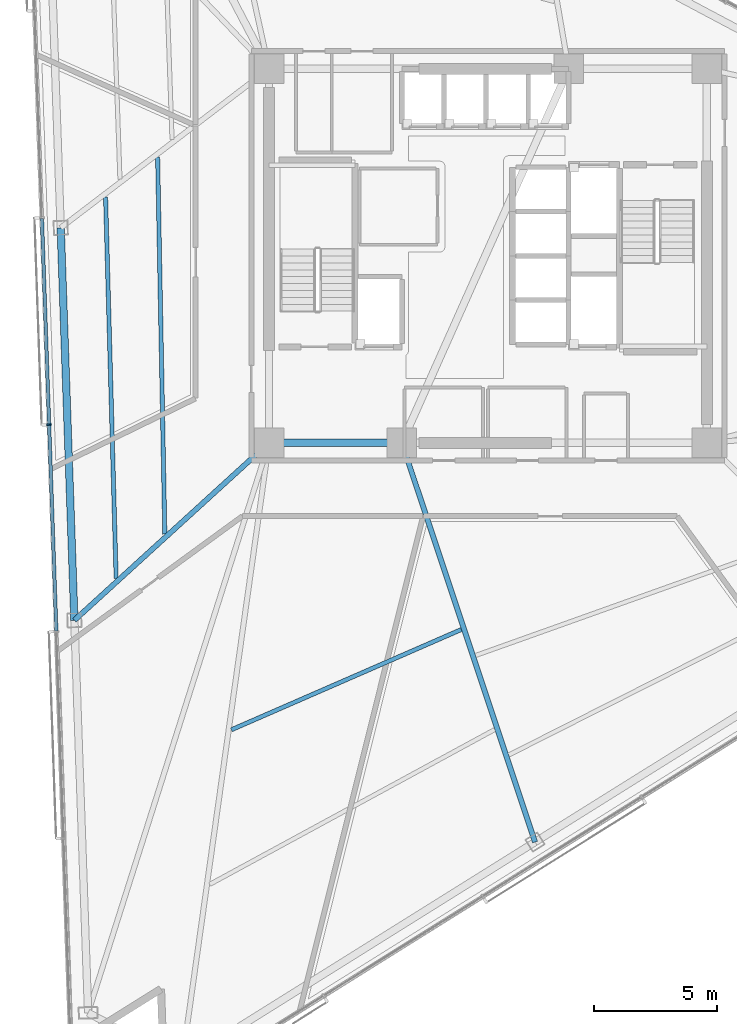
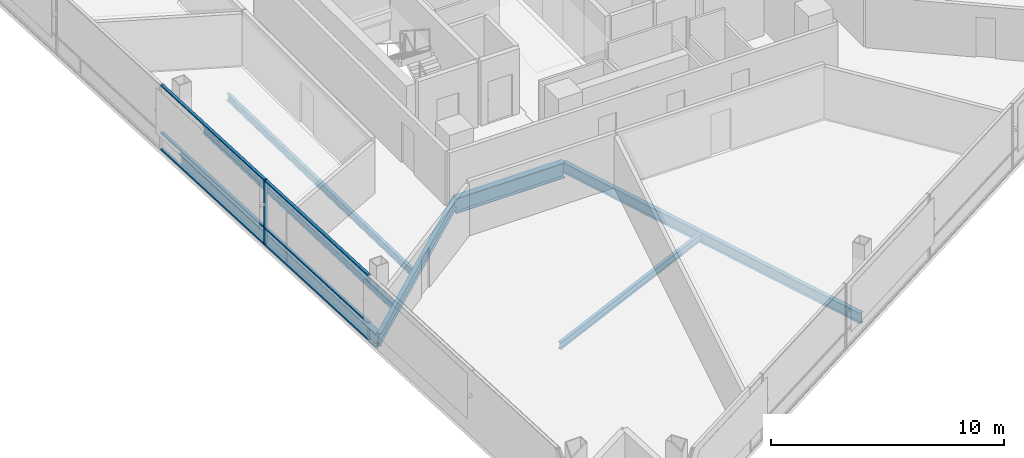
# One storey, part 4 of 21: 7 beams, 7 members, 1 element without a shape of its own.
"""IFC4 building model written with IfcOpenShell, lengths in metres."""

from ifc_helpers import new_model, si_unit, direction, frame, origin, origin_2d, place, context, subcontext, project, spatial, rectangle, i_section, extrude, material, layer, layer_set, material_profile, profile_set, type_object, element, aggregate, save


model = new_model("IFC4")

# Units and contexts
model_context = context("Model", 3, precision=1e-05, world=origin(), true_north=direction((0.0, 1.0)))
body_context = subcontext(model_context, "Body", "Model", "MODEL_VIEW")
ifc_project = project(units=[si_unit("LENGTHUNIT", "METRE"), si_unit("AREAUNIT", "SQUARE_METRE"), si_unit("VOLUMEUNIT", "CUBIC_METRE"), si_unit("PLANEANGLEUNIT", "RADIAN"), si_unit("MASSUNIT", "GRAM", prefix="KILO")], contexts=[model_context])

# Site, building, storey
site_placement = place(None, origin())
site = spatial("IfcSite", under=ifc_project, at=site_placement, CompositionType="ELEMENT")
building_placement = place(site_placement, origin())
building = spatial("IfcBuilding", under=site, at=building_placement, Name="Tharavind Bronze Gate", CompositionType="ELEMENT")
storey_placement = place(building_placement, frame((0.0, 0.0, 142.39990234375)))
storey = spatial("IfcBuildingStorey", under=building, at=storey_placement, Name="L36", CompositionType="ELEMENT", Elevation=142.39990234375)

# Curtain wall, members
ifc_material_1 = material(Name="Anodised Bronze Aluminium", Category="aluminium")
ifc_layer = layer(ifc_material_1, 0.219970703125)
ifc_layer_set = layer_set([ifc_layer], Name="Anodised Bronze Aluminium")
curtain_wall_type = type_object("IfcCurtainWallType", Name="UNITISED CURTAIN WALL MID OFFICE", PredefinedType="USERDEFINED", material=ifc_layer_set)
curtain_wall_placement = place(storey_placement, origin())
curtain_wall = element("IfcCurtainWall", 1, at=curtain_wall_placement, inside=storey, type_object=curtain_wall_type, Name="L36 unitised curtain wall mid office CW-L36-S1", ObjectType="UNITISED CURTAIN WALL", PredefinedType="USERDEFINED")
member_type_1 = type_object("IfcMemberType", Name="CURTAIN WALL BRONZE MULLION 65X180", PredefinedType="MULLION", material=ifc_material_1)
member_1_placement = place(storey_placement, frame((-17.8388671875, -6.86376953125, 0.0), z_axis=(0.0, 0.0, 1.0), x_axis=(0.034899496703, -0.999390827019, 0.0)))
member_1 = element("IfcMember", 2, at=member_1_placement, type_object=member_type_1, Name="CW-L36-S1 mullion 4", PredefinedType="MULLION", context=body_context, shape_type="SweptSolid", body=[
    extrude(rectangle(XDim=0.06494140625, YDim=0.179931640625, at=origin_2d()), origin(), (0.0, 0.0, 1.0), 3.409912109375),
])
member_type_2 = type_object("IfcMemberType", Name="CURTAIN WALL BRONZE TRANSOM 65X140", PredefinedType="USERDEFINED", material=ifc_material_1)
member_2_placement = place(storey_placement, frame((-17.985595703125, -2.6591796875, 0.000244140625), z_axis=(0.0, 0.0, 1.0), x_axis=(0.034899496703, -0.999390827019, 0.0)))
member_2 = element("IfcMember", 3, at=member_2_placement, type_object=member_type_2, Name="CW-L36-S1 transom TB3", ObjectType="TRANSOM", PredefinedType="USERDEFINED", context=body_context, shape_type="SweptSolid", body=[
    extrude(rectangle(XDim=8.361572265625, YDim=0.139892578125, at=origin_2d()), origin(), (0.0, 0.0, 1.0), 0.06494140625),
])
member_3_placement = place(storey_placement, frame((-17.985595703125, -2.6591796875, 0.86767578125), z_axis=(0.0, 0.0, 1.0), x_axis=(0.034899496703, -0.999390827019, 0.0)))
member_3 = element("IfcMember", 4, at=member_3_placement, type_object=member_type_2, Name="CW-L36-S1 transom TS3", ObjectType="TRANSOM", PredefinedType="USERDEFINED", context=body_context, shape_type="SweptSolid", body=[
    extrude(rectangle(XDim=8.361572265625, YDim=0.139892578125, at=origin_2d()), origin(), (0.0, 0.0, 1.0), 0.06494140625),
])
member_4_placement = place(storey_placement, frame((-17.985595703125, -2.6591796875, 3.34521484375), z_axis=(0.0, 0.0, 1.0), x_axis=(0.034899496703, -0.999390827019, 0.0)))
member_4 = element("IfcMember", 5, at=member_4_placement, type_object=member_type_2, Name="CW-L36-S1 transom TT3", ObjectType="TRANSOM", PredefinedType="USERDEFINED", context=body_context, shape_type="SweptSolid", body=[
    extrude(rectangle(XDim=8.361572265625, YDim=0.139892578125, at=origin_2d()), origin(), (0.0, 0.0, 1.0), 0.06494140625),
])
member_5_placement = place(storey_placement, frame((-17.69189453125, -11.068603515625, 0.000244140625), z_axis=(0.0, 0.0, 1.0), x_axis=(0.034899496703, -0.999390827019, 0.0)))
member_5 = element("IfcMember", 6, at=member_5_placement, type_object=member_type_2, Name="CW-L36-S1 transom TB4", ObjectType="TRANSOM", PredefinedType="USERDEFINED", context=body_context, shape_type="SweptSolid", body=[
    extrude(rectangle(XDim=8.361572265625, YDim=0.139892578125, at=origin_2d()), origin(), (0.0, 0.0, 1.0), 0.06494140625),
])
member_6_placement = place(storey_placement, frame((-17.69189453125, -11.068603515625, 0.86767578125), z_axis=(0.0, 0.0, 1.0), x_axis=(0.034899496703, -0.999390827019, 0.0)))
member_6 = element("IfcMember", 7, at=member_6_placement, type_object=member_type_2, Name="CW-L36-S1 transom TS4", ObjectType="TRANSOM", PredefinedType="USERDEFINED", context=body_context, shape_type="SweptSolid", body=[
    extrude(rectangle(XDim=8.361572265625, YDim=0.139892578125, at=origin_2d()), origin(), (0.0, 0.0, 1.0), 0.06494140625),
])
member_7_placement = place(storey_placement, frame((-17.69189453125, -11.068603515625, 3.34521484375), z_axis=(0.0, 0.0, 1.0), x_axis=(0.034899496703, -0.999390827019, 0.0)))
member_7 = element("IfcMember", 8, at=member_7_placement, type_object=member_type_2, Name="CW-L36-S1 transom TT4", ObjectType="TRANSOM", PredefinedType="USERDEFINED", context=body_context, shape_type="SweptSolid", body=[
    extrude(rectangle(XDim=8.361572265625, YDim=0.139892578125, at=origin_2d()), origin(), (0.0, 0.0, 1.0), 0.06494140625),
])
aggregate(curtain_wall, [member_1, member_2, member_3, member_4, member_5, member_6, member_7])

# Beams
ifc_material_2 = material(Name="Steel S355", Category="steel")
ifc_material_profile_1 = material_profile(ifc_material_2, i_section(OverallWidth=0.2099609375, OverallDepth=0.550048828125, WebThickness=0.010986328125, FlangeThickness=0.01708984375, at=origin_2d()), Name="IPE550")
ifc_profile_set_1 = profile_set([ifc_material_profile_1], Name="Steel S355")
beam_type_1 = type_object("IfcBeamType", Name="PRIMARY GIRDER IPE550", PredefinedType="USERDEFINED", material=ifc_profile_set_1)
beam_1_placement = place(storey_placement, frame((-16.810791015625, -14.814208984375, -0.46484375), z_axis=(0.738898073341, 0.673817213503, 0.0), x_axis=(-0.673817213503, 0.738898073341, 0.0)))
element("IfcBeam", 9, at=beam_1_placement, inside=storey, type_object=beam_type_1, Name="L36 primary girder ipe550 BM-L36-RAD03", ObjectType="GIRDER", PredefinedType="USERDEFINED", context=body_context, shape_type="SweptSolid", body=[
    extrude(i_section(OverallWidth=0.2099609375, OverallDepth=0.550048828125, WebThickness=0.010986328125, FlangeThickness=0.01708984375, at=origin_2d()), origin(), (0.0, 0.0, 1.0), 10.706298828125),
])
beam_2_placement = place(storey_placement, frame((1.912353515625, -23.827880859375, -0.46484375), z_axis=(-0.316390459334, 0.948629051444, 0.0), x_axis=(-0.948629051444, -0.316390459334, 0.0)))
element("IfcBeam", 10, at=beam_2_placement, inside=storey, type_object=beam_type_1, Name="L36 primary girder ipe550 BM-L36-RAD06", ObjectType="GIRDER", PredefinedType="USERDEFINED", context=body_context, shape_type="SweptSolid", body=[
    extrude(i_section(OverallWidth=0.2099609375, OverallDepth=0.550048828125, WebThickness=0.010986328125, FlangeThickness=0.01708984375, at=origin_2d()), origin(), (0.0, 0.0, 1.0), 17.1064453125),
])
ifc_material_profile_2 = material_profile(ifc_material_2, i_section(OverallWidth=0.300048828125, OverallDepth=0.699951171875, WebThickness=0.01708984375, FlangeThickness=0.031982421875, at=origin_2d()), Name="HE700B")
ifc_profile_set_2 = profile_set([ifc_material_profile_2], Name="Steel S355")
beam_type_2 = type_object("IfcBeamType", Name="RING GIRDER HE700B", PredefinedType="USERDEFINED", material=ifc_profile_set_2)
beam_3_placement = place(storey_placement, frame((-17.367919921875, 1.138916015625, -0.539794921875), z_axis=(0.03490159311, -0.999390753809, 0.0), x_axis=(0.999390753809, 0.03490159311, 0.0)))
element("IfcBeam", 11, at=beam_3_placement, inside=storey, type_object=beam_type_2, Name="L36 ring girder he700b BM-L36-PRG02", ObjectType="GIRDER", PredefinedType="USERDEFINED", context=body_context, shape_type="SweptSolid", body=[
    extrude(i_section(OverallWidth=0.300048828125, OverallDepth=0.699951171875, WebThickness=0.01708984375, FlangeThickness=0.031982421875, at=origin_2d()), origin(), (0.0, 0.0, 1.0), 15.962890625),
])
ifc_material_profile_3 = material_profile(ifc_material_2, i_section(OverallWidth=0.300048828125, OverallDepth=0.800048828125, WebThickness=0.017578125, FlangeThickness=0.032958984375, at=origin_2d()), Name="HE800B")
ifc_profile_set_3 = profile_set([ifc_material_profile_3], Name="Steel S355")
beam_type_3 = type_object("IfcBeamType", Name="RING GIRDER HE800B", PredefinedType="USERDEFINED", material=ifc_profile_set_3)
beam_4_placement = place(storey_placement, frame((-8.89990234375, -7.60009765625, -0.58984375), z_axis=(1.0, 0.0, 0.0), x_axis=(0.0, 1.0, 0.0)))
element("IfcBeam", 12, at=beam_4_placement, inside=storey, type_object=beam_type_3, Name="L36 ring girder he800b BM-L36-CR1", ObjectType="GIRDER", PredefinedType="USERDEFINED", context=body_context, shape_type="SweptSolid", body=[
    extrude(i_section(OverallWidth=0.300048828125, OverallDepth=0.800048828125, WebThickness=0.017578125, FlangeThickness=0.032958984375, at=origin_2d()), origin(), (0.0, 0.0, 1.0), 5.39990234375),
])
ifc_material_profile_4 = material_profile(ifc_material_2, i_section(OverallWidth=0.169921875, OverallDepth=0.360107421875, WebThickness=0.008056640625, FlangeThickness=0.0126953125, at=origin_2d()), Name="IPE360")
ifc_profile_set_4 = profile_set([ifc_material_profile_4], Name="Steel S355")
beam_type_4 = type_object("IfcBeamType", Name="SECONDARY FLOOR JOIST IPE360", PredefinedType="JOIST", material=ifc_profile_set_4)
beam_5_placement = place(storey_placement, frame((-13.427734375, 4.00927734375, -0.369873046875), z_axis=(0.019097389541, -0.999817628227, 0.0), x_axis=(0.999817628227, 0.019097389541, 0.0)))
element("IfcBeam", 13, at=beam_5_placement, inside=storey, type_object=beam_type_4, Name="L36 secondary floor joist ipe360 BM-L36-JSTA02", PredefinedType="JOIST", context=body_context, shape_type="SweptSolid", body=[
    extrude(i_section(OverallWidth=0.169921875, OverallDepth=0.360107421875, WebThickness=0.008056640625, FlangeThickness=0.0126953125, at=origin_2d()), origin(), (0.0, 0.0, 1.0), 15.327880859375),
])
beam_6_placement = place(storey_placement, frame((-15.54345703125, 2.394775390625, -0.369873046875), z_axis=(0.027683678479, -0.999616733526, 0.0), x_axis=(0.999616733526, 0.027683678479, 0.0)))
element("IfcBeam", 14, at=beam_6_placement, inside=storey, type_object=beam_type_4, Name="L36 secondary floor joist ipe360 BM-L36-JSTB02", PredefinedType="JOIST", context=body_context, shape_type="SweptSolid", body=[
    extrude(i_section(OverallWidth=0.169921875, OverallDepth=0.360107421875, WebThickness=0.008056640625, FlangeThickness=0.0126953125, at=origin_2d()), origin(), (0.0, 0.0, 1.0), 15.521240234375),
])
beam_7_placement = place(storey_placement, frame((-10.42919921875, -19.26513671875, -0.369873046875), z_axis=(0.916635905252, 0.399723175715, 0.0), x_axis=(-0.399723175715, 0.916635905252, 0.0)))
element("IfcBeam", 15, at=beam_7_placement, inside=storey, type_object=beam_type_4, Name="L36 secondary floor joist ipe360 BM-L36-JSTA05", PredefinedType="JOIST", context=body_context, shape_type="SweptSolid", body=[
    extrude(i_section(OverallWidth=0.169921875, OverallDepth=0.360107421875, WebThickness=0.008056640625, FlangeThickness=0.0126953125, at=origin_2d()), origin(), (0.0, 0.0, 1.0), 10.195556640625),
])

save(model, "model.ifc")
